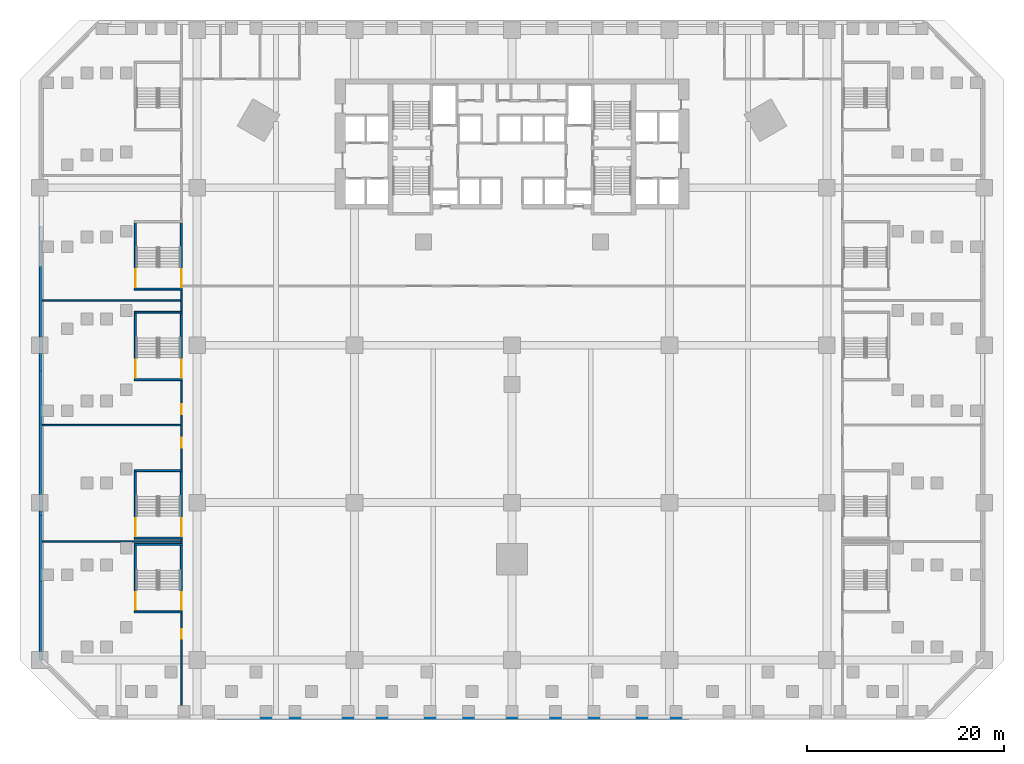
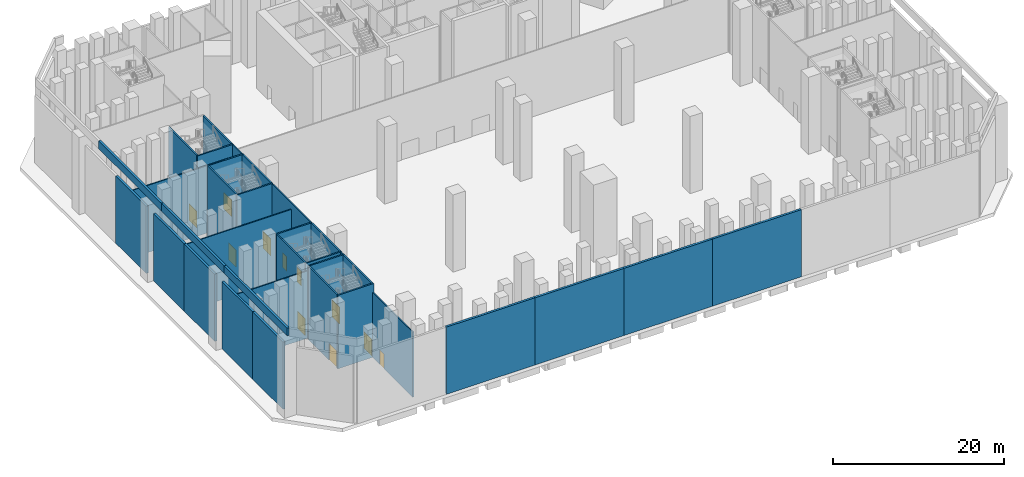
# One storey, part 6 of 31: 34 walls, 11 doors, 11 openings.
"""IFC4 building model written with IfcOpenShell, lengths in metres."""

from ifc_helpers import new_model, si_unit, direction, frame, frame_2d, origin, place, context, subcontext, project, spatial, rectangle, extrude, material, layer, layer_set, type_object, element, fill, save


model = new_model("IFC4")

# Units and contexts
model_context = context("Model", 3, precision=1e-05, world=origin(), true_north=direction((0.0, 1.0)))
body_context = subcontext(model_context, "Body", "Model", "MODEL_VIEW")
ifc_project = project(units=[si_unit("LENGTHUNIT", "METRE"), si_unit("AREAUNIT", "SQUARE_METRE"), si_unit("VOLUMEUNIT", "CUBIC_METRE"), si_unit("PLANEANGLEUNIT", "RADIAN"), si_unit("MASSUNIT", "GRAM", prefix="KILO")], contexts=[model_context])

# Site, building, storey
site_placement = place(None, origin())
site = spatial("IfcSite", under=ifc_project, at=site_placement, CompositionType="ELEMENT")
building_placement = place(site_placement, origin())
building = spatial("IfcBuilding", under=site, at=building_placement, Name="Calabash Gate Tower", CompositionType="ELEMENT")
storey_placement = place(building_placement, frame((0.0, 0.0, 9.0)))
storey = spatial("IfcBuildingStorey", under=building, at=storey_placement, Name="L01", CompositionType="ELEMENT", Elevation=9.0)

# Wall, opening, door
ifc_material_1 = material(Name="Gypsum board on steel studs, mineral wool", Category="steel")
ifc_layer_1 = layer(ifc_material_1, 0.14990234375)
ifc_layer_set_1 = layer_set([ifc_layer_1], Name="Partition 150 gypsum board")
wall_type_1 = type_object("IfcWallType", Name="Partition 150 gypsum board", PredefinedType="PARTITIONING", material=ifc_layer_set_1)
wall_1_placement = place(storey_placement, frame((-33.60009765625, -44.60009765625, 0.0), z_axis=(0.0, 0.0, 1.0), x_axis=(0.0, 1.0, 0.0)))
wall_1 = element("IfcWall", 1, at=wall_1_placement, inside=storey, type_object=wall_type_1, Name="Partition", PredefinedType="PARTITIONING", context=body_context, shape_type="SweptSolid", body=[
    extrude(rectangle(XDim=9.360107421875, YDim=0.14990234375, at=frame_2d((4.68017578125, 0.0))), origin(), (0.0, 0.0, 1.0), 9.300048828125),
])
opening_1_placement = place(wall_1_placement, frame((6.75, 0.0, 0.0)))
opening_1 = element("IfcOpeningElement", 2, at=opening_1_placement, cuts=wall_1, Name="Opening L01-048", PredefinedType="OPENING", context=body_context, shape_type="SweptSolid", body=[
    extrude(rectangle(XDim=1.0, YDim=2.10009765625, at=frame_2d((0.5, 1.050048828125))), frame((0.0, 0.0849609375, 0.0), z_axis=(0.0, -1.0, 0.0), x_axis=(1.0, 0.0, 0.0)), (0.0, 0.0, 1.0), 0.169921875),
])
ifc_material_2 = material(Name="Steel fire door set with fire-resisting glazing", Category="steel")
door_type_1 = type_object("IfcDoorType", Name="Fire door D11 1000x2100 FD60", OperationType="NOTDEFINED", PredefinedType="DOOR", material=ifc_material_2)
door_1_placement = place(opening_1_placement, origin())
door_1 = element("IfcDoor", 3, at=door_1_placement, inside=storey, type_object=door_type_1, Name="Press Centre door", OperationType="SINGLE_SWING_LEFT", OverallHeight=2.10009765625, OverallWidth=1.0, PredefinedType="DOOR", context=body_context, shape_type="SweptSolid", body=[
    extrude(rectangle(XDim=1.0, YDim=2.10009765625, at=frame_2d((0.5, 1.050048828125))), frame((0.0, 0.02490234375, 0.0), z_axis=(0.0, -1.0, 0.0), x_axis=(1.0, 0.0, 0.0)), (0.0, 0.0, 1.0), 0.050048828125),
])
fill(opening_1, door_1)

# Walls
wall_2_placement = place(storey_placement, frame((-33.60009765625, -28.110107421875, 0.0), z_axis=(0.0, 0.0, 1.0), x_axis=(0.0, 1.0, 0.0)))
element("IfcWall", 4, at=wall_2_placement, inside=storey, type_object=wall_type_1, Name="Partition", PredefinedType="PARTITIONING", context=body_context, shape_type="SweptSolid", body=[
    extrude(rectangle(XDim=0.3701171875, YDim=0.14990234375, at=frame_2d((0.18505859375, 0.0))), origin(), (0.0, 0.0, 1.0), 10.5),
])
wall_3_placement = place(storey_placement, frame((-47.719970703125, -27.925048828125, 0.0), z_axis=(0.0, 0.0, 1.0), x_axis=(1.0, 0.0, 0.0)))
element("IfcWall", 5, at=wall_3_placement, inside=storey, type_object=wall_type_1, Name="Partition", PredefinedType="PARTITIONING", context=body_context, shape_type="SweptSolid", body=[
    extrude(rectangle(XDim=14.044921875, YDim=0.14990234375, at=frame_2d((7.0224609375, 0.0))), origin(), (0.0, 0.0, 1.0), 9.60009765625),
])

# Wall, openings, doors
wall_4_placement = place(storey_placement, frame((-33.60009765625, -20.610107421875, 0.0), z_axis=(0.0, 0.0, 1.0), x_axis=(0.0, 1.0, 0.0)))
wall_4 = element("IfcWall", 6, at=wall_4_placement, inside=storey, type_object=wall_type_1, Name="Partition", PredefinedType="PARTITIONING", context=body_context, shape_type="SweptSolid", body=[
    extrude(rectangle(XDim=8.97021484375, YDim=0.14990234375, at=frame_2d((4.485107421875, 0.0))), origin(), (0.0, 0.0, 1.0), 10.5),
])
opening_2_placement = place(wall_4_placement, frame((2.2109375, 0.0, 0.0)))
opening_2 = element("IfcOpeningElement", 7, at=opening_2_placement, cuts=wall_4, Name="Opening L01-049", PredefinedType="OPENING", context=body_context, shape_type="SweptSolid", body=[
    extrude(rectangle(XDim=1.0, YDim=2.10009765625, at=frame_2d((0.5, 1.050048828125))), frame((0.0, 0.0849609375, 0.0), z_axis=(0.0, -1.0, 0.0), x_axis=(1.0, 0.0, 0.0)), (0.0, 0.0, 1.0), 0.169921875),
])
opening_3_placement = place(wall_4_placement, frame((5.5849609375, 0.0, 0.0)))
opening_3 = element("IfcOpeningElement", 8, at=opening_3_placement, cuts=wall_4, Name="Opening L01-050", PredefinedType="OPENING", context=body_context, shape_type="SweptSolid", body=[
    extrude(rectangle(XDim=1.0, YDim=2.10009765625, at=frame_2d((0.5, 1.050048828125))), frame((0.0, 0.0849609375, 0.0), z_axis=(0.0, -1.0, 0.0), x_axis=(1.0, 0.0, 0.0)), (0.0, 0.0, 1.0), 0.169921875),
])
door_2_placement = place(opening_2_placement, origin())
door_2 = element("IfcDoor", 9, at=door_2_placement, inside=storey, type_object=door_type_1, Name="Exhibitor Lounge door", OperationType="SINGLE_SWING_LEFT", OverallHeight=2.10009765625, OverallWidth=1.0, PredefinedType="DOOR", context=body_context, shape_type="SweptSolid", body=[
    extrude(rectangle(XDim=1.0, YDim=2.10009765625, at=frame_2d((0.5, 1.050048828125))), frame((0.0, 0.02490234375, 0.0), z_axis=(0.0, -1.0, 0.0), x_axis=(1.0, 0.0, 0.0)), (0.0, 0.0, 1.0), 0.050048828125),
])
fill(opening_2, door_2)
door_3_placement = place(opening_3_placement, origin())
door_3 = element("IfcDoor", 10, at=door_3_placement, inside=storey, type_object=door_type_1, Name="Hall Management Office door", OperationType="SINGLE_SWING_RIGHT", OverallHeight=2.10009765625, OverallWidth=1.0, PredefinedType="DOOR", context=body_context, shape_type="SweptSolid", body=[
    extrude(rectangle(XDim=1.0, YDim=2.10009765625, at=frame_2d((0.5, 1.050048828125))), frame((0.0, 0.02490234375, 0.0), z_axis=(0.0, -1.0, 0.0), x_axis=(1.0, 0.0, 0.0)), (0.0, 0.0, 1.0), 0.050048828125),
])
fill(opening_3, door_3)

# Walls
wall_5_placement = place(storey_placement, frame((-47.719970703125, -16.125, 0.0), z_axis=(0.0, 0.0, 1.0), x_axis=(1.0, 0.0, 0.0)))
element("IfcWall", 11, at=wall_5_placement, inside=storey, type_object=wall_type_1, Name="Partition", PredefinedType="PARTITIONING", context=body_context, shape_type="SweptSolid", body=[
    extrude(rectangle(XDim=14.044921875, YDim=0.14990234375, at=frame_2d((7.0224609375, 0.0))), origin(), (0.0, 0.0, 1.0), 9.60009765625),
])
wall_6_placement = place(storey_placement, frame((-33.60009765625, -4.510009765625, 0.0), z_axis=(0.0, 0.0, 1.0), x_axis=(0.0, 1.0, 0.0)))
element("IfcWall", 12, at=wall_6_placement, inside=storey, type_object=wall_type_1, Name="Partition", PredefinedType="PARTITIONING", context=body_context, shape_type="SweptSolid", body=[
    extrude(rectangle(XDim=2.070068359375, YDim=0.14990234375, at=frame_2d((1.03515625, 0.0))), origin(), (0.0, 0.0, 1.0), 10.5),
])
wall_7_placement = place(storey_placement, frame((-47.719970703125, -3.47509765625, 0.0), z_axis=(0.0, 0.0, 1.0), x_axis=(1.0, 0.0, 0.0)))
element("IfcWall", 13, at=wall_7_placement, inside=storey, type_object=wall_type_1, Name="Partition", PredefinedType="PARTITIONING", context=body_context, shape_type="SweptSolid", body=[
    extrude(rectangle(XDim=14.044921875, YDim=0.14990234375, at=frame_2d((7.0224609375, 0.0))), origin(), (0.0, 0.0, 1.0), 9.60009765625),
])
ifc_material_3 = material(Name="Terracotta brick masonry, exposed face", Category="masonry")
ifc_layer_2 = layer(ifc_material_3, 0.300048828125)
ifc_layer_set_2 = layer_set([ifc_layer_2], Name="Podium brick wall 300")
wall_type_2 = type_object("IfcWallType", Name="Podium brick wall 300", PredefinedType="SOLIDWALL", material=ifc_layer_set_2)
wall_8_placement = place(storey_placement, frame((-29.96435546875, -45.89990234375, 0.0), z_axis=(0.0, 0.0, 1.0), x_axis=(1.0, 0.0, 0.0)))
element("IfcWall", 14, at=wall_8_placement, inside=storey, type_object=wall_type_2, Name="Podium brick wall L01 0.0.1", PredefinedType="SOLIDWALL", context=body_context, shape_type="SweptSolid", body=[
    extrude(rectangle(XDim=11.98583984375, YDim=0.300048828125, at=frame_2d((5.992919921875, 0.0))), origin(), (0.0, 0.0, 1.0), 9.60009765625),
])
wall_9_placement = place(storey_placement, frame((-17.978515625, -45.89990234375, 0.0), z_axis=(0.0, 0.0, 1.0), x_axis=(1.0, 0.0, 0.0)))
element("IfcWall", 15, at=wall_9_placement, inside=storey, type_object=wall_type_2, Name="Podium brick wall L01 0.0.2", PredefinedType="SOLIDWALL", context=body_context, shape_type="SweptSolid", body=[
    extrude(rectangle(XDim=11.985595703125, YDim=0.300048828125, at=frame_2d((5.99267578125, 0.0))), origin(), (0.0, 0.0, 1.0), 9.60009765625),
])
wall_10_placement = place(storey_placement, frame((-5.992919921875, -45.89990234375, 0.0), z_axis=(0.0, 0.0, 1.0), x_axis=(1.0, 0.0, 0.0)))
element("IfcWall", 16, at=wall_10_placement, inside=storey, type_object=wall_type_2, Name="Podium brick wall L01 0.0.3", PredefinedType="SOLIDWALL", context=body_context, shape_type="SweptSolid", body=[
    extrude(rectangle(XDim=11.98583984375, YDim=0.300048828125, at=frame_2d((5.992919921875, 0.0))), origin(), (0.0, 0.0, 1.0), 9.60009765625),
])
wall_11_placement = place(storey_placement, frame((5.992919921875, -45.89990234375, 0.0), z_axis=(0.0, 0.0, 1.0), x_axis=(1.0, 0.0, 0.0)))
element("IfcWall", 17, at=wall_11_placement, inside=storey, type_object=wall_type_2, Name="Podium brick wall L01 0.0.4", PredefinedType="SOLIDWALL", context=body_context, shape_type="SweptSolid", body=[
    extrude(rectangle(XDim=11.985595703125, YDim=0.300048828125, at=frame_2d((5.99267578125, 0.0))), origin(), (0.0, 0.0, 1.0), 9.60009765625),
])
for number, where, z_axis, x_axis, name in (
    (18, (-47.89990234375, 0.0, 0.0), (0.0, 0.0, 1.0), (0.0, -1.0, 0.0), "Podium brick wall L01 6.1.1"),
    (19, (-47.89990234375, -8.85205078125, 0.0), (0.0, 0.0, 1.0), (0.0, -1.0, 0.0), "Podium brick wall L01 6.2.0"),
    (20, (-47.89990234375, -16.0, 0.0), (0.0, 0.0, 1.0), (0.0, -1.0, 0.0), "Podium brick wall L01 6.2.1"),
    (21, (-47.89990234375, -24.85205078125, 0.0), (0.0, 0.0, 1.0), (0.0, -1.0, 0.0), "Podium brick wall L01 6.3.0"),
    (22, (-47.89990234375, -32.0, 0.0), (0.0, 0.0, 1.0), (0.0, -1.0, 0.0), "Podium brick wall L01 6.3.1"),
):
    element("IfcWall", number, at=place(storey_placement, frame(where, z_axis=z_axis, x_axis=x_axis)), inside=storey, type_object=wall_type_2, Name=name, PredefinedType="SOLIDWALL", context=body_context, shape_type="SweptSolid", body=[
        extrude(rectangle(XDim=7.14794921875, YDim=0.300048828125, at=frame_2d((3.573974609375, 0.0))), origin(), (0.0, 0.0, 1.0), 9.60009765625),
    ])
ifc_material_4 = material(Name="Terracotta brick masonry, exposed face", Category="masonry")
ifc_layer_3 = layer(ifc_material_4, 0.300048828125)
ifc_layer_set_3 = layer_set([ifc_layer_3], Name="Podium parapet wall 300")
wall_type_3 = type_object("IfcWallType", Name="Podium parapet wall 300", PredefinedType="PARAPET", material=ifc_layer_set_3)
for number, where, z_axis, x_axis, name in (
    (23, (-47.85009765625, 4.092529296875, 11.0), (0.0, 0.0, 1.0), (0.0, -1.0, 0.0), "Podium parapet L01 6.0.1"),
    (24, (-47.85009765625, -10.60498046875, 11.0), (0.0, 0.0, 1.0), (0.0, -1.0, 0.0), "Podium parapet L01 6.0.2"),
    (25, (-47.85009765625, -25.302490234375, 11.0), (0.0, 0.0, 1.0), (0.0, -1.0, 0.0), "Podium parapet L01 6.0.3"),
):
    element("IfcWall", number, at=place(storey_placement, frame(where, z_axis=z_axis, x_axis=x_axis)), inside=storey, type_object=wall_type_3, Name=name, PredefinedType="PARAPET", context=body_context, shape_type="SweptSolid", body=[
        extrude(rectangle(XDim=14.697509765625, YDim=0.300048828125, at=frame_2d((7.3486328125, 0.0))), origin(), (0.0, 0.0, 1.0), 1.10009765625),
    ])
ifc_material_5 = material(Name="Concrete C40/50", Category="concrete")
ifc_layer_4 = layer(ifc_material_5, 0.199951171875)
ifc_layer_set_4 = layer_set([ifc_layer_4], Name="Stair wall 200 Concrete C40/50")
wall_type_4 = type_object("IfcWallType", Name="Stair wall 200 Concrete C40/50", PredefinedType="SOLIDWALL", material=ifc_layer_set_4)
for number, where, z_axis, x_axis, name in (
    (26, (-38.3701171875, -35.10009765625, 0.0), (0.0, 0.0, 1.0), (1.0, 0.0, 0.0), "Stair wall"),
    (27, (-38.3701171875, -28.25, 0.0), (0.0, 0.0, 1.0), (1.0, 0.0, 0.0), "Stair wall"),
):
    element("IfcWall", number, at=place(storey_placement, frame(where, z_axis=z_axis, x_axis=x_axis)), inside=storey, type_object=wall_type_4, Name=name, PredefinedType="SOLIDWALL", context=body_context, shape_type="SweptSolid", body=[
        extrude(rectangle(XDim=4.8701171875, YDim=0.199951171875, at=frame_2d((2.43505859375, 0.0))), origin(), (0.0, 0.0, 1.0), 10.5),
    ])

# Wall, opening, door
wall_12_placement = place(storey_placement, frame((-38.27001953125, -35.0, 0.0), z_axis=(0.0, 0.0, 1.0), x_axis=(0.0, 1.0, 0.0)))
wall_12 = element("IfcWall", 28, at=wall_12_placement, inside=storey, type_object=wall_type_4, Name="Stair wall", PredefinedType="SOLIDWALL", context=body_context, shape_type="SweptSolid", body=[
    extrude(rectangle(XDim=6.64990234375, YDim=0.199951171875, at=frame_2d((3.324951171875, 0.0))), origin(), (0.0, 0.0, 1.0), 10.5),
])
opening_4_placement = place(wall_12_placement, frame((0.10009765625, 0.0, 0.0)))
opening_4 = element("IfcOpeningElement", 29, at=opening_4_placement, cuts=wall_12, Name="Opening L01-019", PredefinedType="OPENING", context=body_context, shape_type="SweptSolid", body=[
    extrude(rectangle(XDim=1.800048828125, YDim=2.39990234375, at=frame_2d((0.89990234375, 1.199951171875))), frame((0.0, 0.10986328125, 0.0), z_axis=(0.0, -1.0, 0.0), x_axis=(1.0, 0.0, 0.0)), (0.0, 0.0, 1.0), 0.219970703125),
])
ifc_material_6 = material(Name="Steel fire door set with fire-resisting glazing", Category="steel")
door_type_2 = type_object("IfcDoorType", Name="Double fire door D16 1800x2400 FD90", OperationType="DOUBLE_DOOR_SINGLE_SWING", PredefinedType="DOOR", material=ifc_material_6)
door_4_placement = place(opening_4_placement, origin())
door_4 = element("IfcDoor", 30, at=door_4_placement, inside=storey, type_object=door_type_2, Name="Exit stair door PS1", OperationType="DOUBLE_DOOR_SINGLE_SWING", OverallHeight=2.39990234375, OverallWidth=1.800048828125, PredefinedType="DOOR", context=body_context, shape_type="SweptSolid", body=[
    extrude(rectangle(XDim=1.800048828125, YDim=2.39990234375, at=frame_2d((0.89990234375, 1.199951171875))), frame((0.0, 0.02490234375, 0.0), z_axis=(0.0, -1.0, 0.0), x_axis=(1.0, 0.0, 0.0)), (0.0, 0.0, 1.0), 0.050048828125),
])
fill(opening_4, door_4)

wall_13_placement = place(storey_placement, frame((-33.60009765625, -35.0, 0.0), z_axis=(0.0, 0.0, 1.0), x_axis=(0.0, 1.0, 0.0)))
wall_13 = element("IfcWall", 31, at=wall_13_placement, inside=storey, type_object=wall_type_4, Name="Stair wall", PredefinedType="SOLIDWALL", context=body_context, shape_type="SweptSolid", body=[
    extrude(rectangle(XDim=6.64990234375, YDim=0.199951171875, at=frame_2d((3.324951171875, 0.0))), origin(), (0.0, 0.0, 1.0), 10.5),
])
opening_5_placement = place(wall_13_placement, frame((0.10009765625, 0.0, 0.0)))
opening_5 = element("IfcOpeningElement", 32, at=opening_5_placement, cuts=wall_13, Name="Opening L01-018", PredefinedType="OPENING", context=body_context, shape_type="SweptSolid", body=[
    extrude(rectangle(XDim=1.800048828125, YDim=2.39990234375, at=frame_2d((0.89990234375, 1.199951171875))), frame((0.0, 0.10986328125, 0.0), z_axis=(0.0, -1.0, 0.0), x_axis=(1.0, 0.0, 0.0)), (0.0, 0.0, 1.0), 0.219970703125),
])
door_5_placement = place(opening_5_placement, origin())
door_5 = element("IfcDoor", 33, at=door_5_placement, inside=storey, type_object=door_type_2, Name="Exit stair door PS1", OperationType="DOUBLE_DOOR_SINGLE_SWING", OverallHeight=2.39990234375, OverallWidth=1.800048828125, PredefinedType="DOOR", context=body_context, shape_type="SweptSolid", body=[
    extrude(rectangle(XDim=1.800048828125, YDim=2.39990234375, at=frame_2d((0.89990234375, 1.199951171875))), frame((0.0, 0.02490234375, 0.0), z_axis=(0.0, -1.0, 0.0), x_axis=(1.0, 0.0, 0.0)), (0.0, 0.0, 1.0), 0.050048828125),
])
fill(opening_5, door_5)

# Walls
for number, where, z_axis, x_axis, name in (
    (34, (-38.3701171875, -27.60009765625, 0.0), (0.0, 0.0, 1.0), (1.0, 0.0, 0.0), "Stair wall"),
    (35, (-38.3701171875, -20.75, 0.0), (0.0, 0.0, 1.0), (1.0, 0.0, 0.0), "Stair wall"),
):
    element("IfcWall", number, at=place(storey_placement, frame(where, z_axis=z_axis, x_axis=x_axis)), inside=storey, type_object=wall_type_4, Name=name, PredefinedType="SOLIDWALL", context=body_context, shape_type="SweptSolid", body=[
        extrude(rectangle(XDim=4.8701171875, YDim=0.199951171875, at=frame_2d((2.43505859375, 0.0))), origin(), (0.0, 0.0, 1.0), 10.5),
    ])

# Wall, opening, door
wall_14_placement = place(storey_placement, frame((-38.27001953125, -27.5, 0.0), z_axis=(0.0, 0.0, 1.0), x_axis=(0.0, 1.0, 0.0)))
wall_14 = element("IfcWall", 36, at=wall_14_placement, inside=storey, type_object=wall_type_4, Name="Stair wall", PredefinedType="SOLIDWALL", context=body_context, shape_type="SweptSolid", body=[
    extrude(rectangle(XDim=6.64990234375, YDim=0.199951171875, at=frame_2d((3.324951171875, 0.0))), origin(), (0.0, 0.0, 1.0), 10.5),
])
opening_6_placement = place(wall_14_placement, frame((0.10009765625, 0.0, 0.0)))
opening_6 = element("IfcOpeningElement", 37, at=opening_6_placement, cuts=wall_14, Name="Opening L01-021", PredefinedType="OPENING", context=body_context, shape_type="SweptSolid", body=[
    extrude(rectangle(XDim=1.800048828125, YDim=2.39990234375, at=frame_2d((0.89990234375, 1.199951171875))), frame((0.0, 0.10986328125, 0.0), z_axis=(0.0, -1.0, 0.0), x_axis=(1.0, 0.0, 0.0)), (0.0, 0.0, 1.0), 0.219970703125),
])
door_6_placement = place(opening_6_placement, origin())
door_6 = element("IfcDoor", 38, at=door_6_placement, inside=storey, type_object=door_type_2, Name="Exit stair door PS2", OperationType="DOUBLE_DOOR_SINGLE_SWING", OverallHeight=2.39990234375, OverallWidth=1.800048828125, PredefinedType="DOOR", context=body_context, shape_type="SweptSolid", body=[
    extrude(rectangle(XDim=1.800048828125, YDim=2.39990234375, at=frame_2d((0.89990234375, 1.199951171875))), frame((0.0, 0.02490234375, 0.0), z_axis=(0.0, -1.0, 0.0), x_axis=(1.0, 0.0, 0.0)), (0.0, 0.0, 1.0), 0.050048828125),
])
fill(opening_6, door_6)

wall_15_placement = place(storey_placement, frame((-33.60009765625, -27.5, 0.0), z_axis=(0.0, 0.0, 1.0), x_axis=(0.0, 1.0, 0.0)))
wall_15 = element("IfcWall", 39, at=wall_15_placement, inside=storey, type_object=wall_type_4, Name="Stair wall", PredefinedType="SOLIDWALL", context=body_context, shape_type="SweptSolid", body=[
    extrude(rectangle(XDim=6.64990234375, YDim=0.199951171875, at=frame_2d((3.324951171875, 0.0))), origin(), (0.0, 0.0, 1.0), 10.5),
])
opening_7_placement = place(wall_15_placement, frame((0.10009765625, 0.0, 0.0)))
opening_7 = element("IfcOpeningElement", 40, at=opening_7_placement, cuts=wall_15, Name="Opening L01-020", PredefinedType="OPENING", context=body_context, shape_type="SweptSolid", body=[
    extrude(rectangle(XDim=1.800048828125, YDim=2.39990234375, at=frame_2d((0.89990234375, 1.199951171875))), frame((0.0, 0.10986328125, 0.0), z_axis=(0.0, -1.0, 0.0), x_axis=(1.0, 0.0, 0.0)), (0.0, 0.0, 1.0), 0.219970703125),
])
door_7_placement = place(opening_7_placement, origin())
door_7 = element("IfcDoor", 41, at=door_7_placement, inside=storey, type_object=door_type_2, Name="Exit stair door PS2", OperationType="DOUBLE_DOOR_SINGLE_SWING", OverallHeight=2.39990234375, OverallWidth=1.800048828125, PredefinedType="DOOR", context=body_context, shape_type="SweptSolid", body=[
    extrude(rectangle(XDim=1.800048828125, YDim=2.39990234375, at=frame_2d((0.89990234375, 1.199951171875))), frame((0.0, 0.02490234375, 0.0), z_axis=(0.0, -1.0, 0.0), x_axis=(1.0, 0.0, 0.0)), (0.0, 0.0, 1.0), 0.050048828125),
])
fill(opening_7, door_7)

# Walls
for number, where, z_axis, x_axis, name in (
    (42, (-38.3701171875, -11.5, 0.0), (0.0, 0.0, 1.0), (1.0, 0.0, 0.0), "Stair wall"),
    (43, (-38.3701171875, -4.64990234375, 0.0), (0.0, 0.0, 1.0), (1.0, 0.0, 0.0), "Stair wall"),
):
    element("IfcWall", number, at=place(storey_placement, frame(where, z_axis=z_axis, x_axis=x_axis)), inside=storey, type_object=wall_type_4, Name=name, PredefinedType="SOLIDWALL", context=body_context, shape_type="SweptSolid", body=[
        extrude(rectangle(XDim=4.8701171875, YDim=0.199951171875, at=frame_2d((2.43505859375, 0.0))), origin(), (0.0, 0.0, 1.0), 10.5),
    ])

# Wall, opening, door
wall_16_placement = place(storey_placement, frame((-38.27001953125, -11.39990234375, 0.0), z_axis=(0.0, 0.0, 1.0), x_axis=(0.0, 1.0, 0.0)))
wall_16 = element("IfcWall", 44, at=wall_16_placement, inside=storey, type_object=wall_type_4, Name="Stair wall", PredefinedType="SOLIDWALL", context=body_context, shape_type="SweptSolid", body=[
    extrude(rectangle(XDim=6.64990234375, YDim=0.199951171875, at=frame_2d((3.324951171875, 0.0))), origin(), (0.0, 0.0, 1.0), 10.5),
])
opening_8_placement = place(wall_16_placement, frame((0.10009765625, 0.0, 0.0)))
opening_8 = element("IfcOpeningElement", 45, at=opening_8_placement, cuts=wall_16, Name="Opening L01-023", PredefinedType="OPENING", context=body_context, shape_type="SweptSolid", body=[
    extrude(rectangle(XDim=1.800048828125, YDim=2.39990234375, at=frame_2d((0.89990234375, 1.199951171875))), frame((0.0, 0.10986328125, 0.0), z_axis=(0.0, -1.0, 0.0), x_axis=(1.0, 0.0, 0.0)), (0.0, 0.0, 1.0), 0.219970703125),
])
door_8_placement = place(opening_8_placement, origin())
door_8 = element("IfcDoor", 46, at=door_8_placement, inside=storey, type_object=door_type_2, Name="Exit stair door PS3", OperationType="DOUBLE_DOOR_SINGLE_SWING", OverallHeight=2.39990234375, OverallWidth=1.800048828125, PredefinedType="DOOR", context=body_context, shape_type="SweptSolid", body=[
    extrude(rectangle(XDim=1.800048828125, YDim=2.39990234375, at=frame_2d((0.89990234375, 1.199951171875))), frame((0.0, 0.02490234375, 0.0), z_axis=(0.0, -1.0, 0.0), x_axis=(1.0, 0.0, 0.0)), (0.0, 0.0, 1.0), 0.050048828125),
])
fill(opening_8, door_8)

wall_17_placement = place(storey_placement, frame((-33.60009765625, -11.39990234375, 0.0), z_axis=(0.0, 0.0, 1.0), x_axis=(0.0, 1.0, 0.0)))
wall_17 = element("IfcWall", 47, at=wall_17_placement, inside=storey, type_object=wall_type_4, Name="Stair wall", PredefinedType="SOLIDWALL", context=body_context, shape_type="SweptSolid", body=[
    extrude(rectangle(XDim=6.64990234375, YDim=0.199951171875, at=frame_2d((3.324951171875, 0.0))), origin(), (0.0, 0.0, 1.0), 10.5),
])
opening_9_placement = place(wall_17_placement, frame((0.10009765625, 0.0, 0.0)))
opening_9 = element("IfcOpeningElement", 48, at=opening_9_placement, cuts=wall_17, Name="Opening L01-022", PredefinedType="OPENING", context=body_context, shape_type="SweptSolid", body=[
    extrude(rectangle(XDim=1.800048828125, YDim=2.39990234375, at=frame_2d((0.89990234375, 1.199951171875))), frame((0.0, 0.10986328125, 0.0), z_axis=(0.0, -1.0, 0.0), x_axis=(1.0, 0.0, 0.0)), (0.0, 0.0, 1.0), 0.219970703125),
])
door_9_placement = place(opening_9_placement, origin())
door_9 = element("IfcDoor", 49, at=door_9_placement, inside=storey, type_object=door_type_2, Name="Exit stair door PS3", OperationType="DOUBLE_DOOR_SINGLE_SWING", OverallHeight=2.39990234375, OverallWidth=1.800048828125, PredefinedType="DOOR", context=body_context, shape_type="SweptSolid", body=[
    extrude(rectangle(XDim=1.800048828125, YDim=2.39990234375, at=frame_2d((0.89990234375, 1.199951171875))), frame((0.0, 0.02490234375, 0.0), z_axis=(0.0, -1.0, 0.0), x_axis=(1.0, 0.0, 0.0)), (0.0, 0.0, 1.0), 0.050048828125),
])
fill(opening_9, door_9)

# Wall
wall_18_placement = place(storey_placement, frame((-38.3701171875, -2.300048828125, 0.0), z_axis=(0.0, 0.0, 1.0), x_axis=(1.0, 0.0, 0.0)))
element("IfcWall", 50, at=wall_18_placement, inside=storey, type_object=wall_type_4, Name="Stair wall", PredefinedType="SOLIDWALL", context=body_context, shape_type="SweptSolid", body=[
    extrude(rectangle(XDim=4.8701171875, YDim=0.199951171875, at=frame_2d((2.43505859375, 0.0))), origin(), (0.0, 0.0, 1.0), 10.5),
])

# Wall, opening, door
wall_19_placement = place(storey_placement, frame((-38.27001953125, -2.199951171875, 0.0), z_axis=(0.0, 0.0, 1.0), x_axis=(0.0, 1.0, 0.0)))
wall_19 = element("IfcWall", 51, at=wall_19_placement, inside=storey, type_object=wall_type_4, Name="Stair wall", PredefinedType="SOLIDWALL", context=body_context, shape_type="SweptSolid", body=[
    extrude(rectangle(XDim=6.64990234375, YDim=0.199951171875, at=frame_2d((3.324951171875, 0.0))), origin(), (0.0, 0.0, 1.0), 10.5),
])
opening_10_placement = place(wall_19_placement, frame((0.10009765625, 0.0, 0.0)))
opening_10 = element("IfcOpeningElement", 52, at=opening_10_placement, cuts=wall_19, Name="Opening L01-025", PredefinedType="OPENING", context=body_context, shape_type="SweptSolid", body=[
    extrude(rectangle(XDim=1.800048828125, YDim=2.39990234375, at=frame_2d((0.89990234375, 1.199951171875))), frame((0.0, 0.10986328125, 0.0), z_axis=(0.0, -1.0, 0.0), x_axis=(1.0, 0.0, 0.0)), (0.0, 0.0, 1.0), 0.219970703125),
])
door_10_placement = place(opening_10_placement, origin())
door_10 = element("IfcDoor", 53, at=door_10_placement, inside=storey, type_object=door_type_2, Name="Exit stair door PS4", OperationType="DOUBLE_DOOR_SINGLE_SWING", OverallHeight=2.39990234375, OverallWidth=1.800048828125, PredefinedType="DOOR", context=body_context, shape_type="SweptSolid", body=[
    extrude(rectangle(XDim=1.800048828125, YDim=2.39990234375, at=frame_2d((0.89990234375, 1.199951171875))), frame((0.0, 0.02490234375, 0.0), z_axis=(0.0, -1.0, 0.0), x_axis=(1.0, 0.0, 0.0)), (0.0, 0.0, 1.0), 0.050048828125),
])
fill(opening_10, door_10)

wall_20_placement = place(storey_placement, frame((-33.60009765625, -2.199951171875, 0.0), z_axis=(0.0, 0.0, 1.0), x_axis=(0.0, 1.0, 0.0)))
wall_20 = element("IfcWall", 54, at=wall_20_placement, inside=storey, type_object=wall_type_4, Name="Stair wall", PredefinedType="SOLIDWALL", context=body_context, shape_type="SweptSolid", body=[
    extrude(rectangle(XDim=6.64990234375, YDim=0.199951171875, at=frame_2d((3.324951171875, 0.0))), origin(), (0.0, 0.0, 1.0), 10.5),
])
opening_11_placement = place(wall_20_placement, frame((0.10009765625, 0.0, 0.0)))
opening_11 = element("IfcOpeningElement", 55, at=opening_11_placement, cuts=wall_20, Name="Opening L01-024", PredefinedType="OPENING", context=body_context, shape_type="SweptSolid", body=[
    extrude(rectangle(XDim=1.800048828125, YDim=2.39990234375, at=frame_2d((0.89990234375, 1.199951171875))), frame((0.0, 0.10986328125, 0.0), z_axis=(0.0, -1.0, 0.0), x_axis=(1.0, 0.0, 0.0)), (0.0, 0.0, 1.0), 0.219970703125),
])
door_11_placement = place(opening_11_placement, origin())
door_11 = element("IfcDoor", 56, at=door_11_placement, inside=storey, type_object=door_type_2, Name="Exit stair door PS4", OperationType="DOUBLE_DOOR_SINGLE_SWING", OverallHeight=2.39990234375, OverallWidth=1.800048828125, PredefinedType="DOOR", context=body_context, shape_type="SweptSolid", body=[
    extrude(rectangle(XDim=1.800048828125, YDim=2.39990234375, at=frame_2d((0.89990234375, 1.199951171875))), frame((0.0, 0.02490234375, 0.0), z_axis=(0.0, -1.0, 0.0), x_axis=(1.0, 0.0, 0.0)), (0.0, 0.0, 1.0), 0.050048828125),
])
fill(opening_11, door_11)

save(model, "model.ifc")
